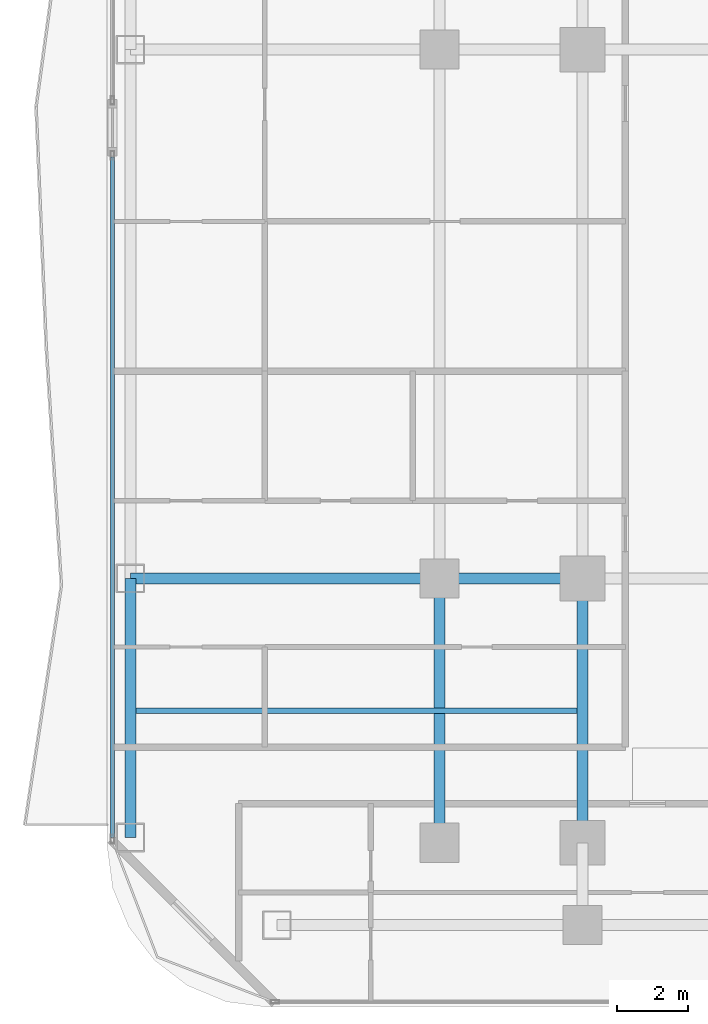
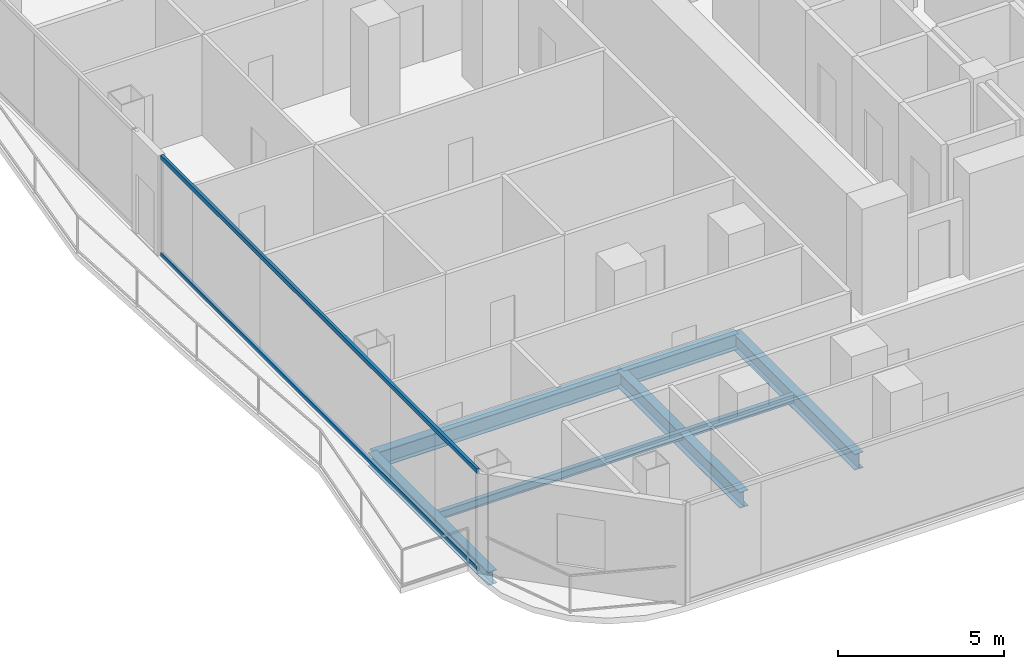
# One storey, part 3 of 27: 6 beams, 2 members, 1 element without a shape of its own.
"""IFC4 building model written with IfcOpenShell, lengths in metres."""

from ifc_helpers import new_model, si_unit, direction, frame, origin, origin_2d, place, context, subcontext, project, spatial, hollow_rectangle, i_section, extrude, material, layer, layer_set, material_profile, profile_set, type_object, element, aggregate, save


model = new_model("IFC4")

# Units and contexts
model_context = context("Model", 3, precision=1e-05, world=origin(), true_north=direction((0.0, 1.0)))
body_context = subcontext(model_context, "Body", "Model", "MODEL_VIEW")
ifc_project = project(units=[si_unit("LENGTHUNIT", "METRE"), si_unit("AREAUNIT", "SQUARE_METRE"), si_unit("VOLUMEUNIT", "CUBIC_METRE"), si_unit("PLANEANGLEUNIT", "RADIAN"), si_unit("MASSUNIT", "GRAM", prefix="KILO")], contexts=[model_context])

# Site, building, storey
site_placement = place(None, origin())
site = spatial("IfcSite", under=ifc_project, at=site_placement, CompositionType="ELEMENT")
building_placement = place(site_placement, origin())
building = spatial("IfcBuilding", under=site, at=building_placement, Name="Khorvyn Point Tower", CompositionType="ELEMENT")
storey_placement = place(building_placement, frame((0.0, 0.0, 96.89990234375)))
storey = spatial("IfcBuildingStorey", under=building, at=storey_placement, Name="L24", CompositionType="ELEMENT", Elevation=96.89990234375)

# Curtain wall, members
ifc_material_1 = material(Name="Anodised aluminium 6063-T6 and laminated Low-E glass", Category="aluminium")
ifc_layer = layer(ifc_material_1, 0.18994140625)
ifc_layer_set = layer_set([ifc_layer], Name="Stick-Built Finned Residential Curtain Wall CW-SYS-02")
curtain_wall_type = type_object("IfcCurtainWallType", Name="Stick-Built Finned Residential Curtain Wall CW-SYS-02", PredefinedType="NOTDEFINED", material=ifc_layer_set)
curtain_wall_placement = place(storey_placement, origin())
curtain_wall = element("IfcCurtainWall", 1, at=curtain_wall_placement, inside=storey, type_object=curtain_wall_type, Name="Curtain Wall", PredefinedType="NOTDEFINED")
ifc_material_2 = material(Name="Anodised aluminium 6063-T6", Category="aluminium")
ifc_material_profile_1 = material_profile(ifc_material_2, hollow_rectangle(XDim=0.10009765625, YDim=0.159912109375, WallThickness=0.00439453125, at=origin_2d()))
ifc_profile_set_1 = profile_set([ifc_material_profile_1], Name="Anodised aluminium 6063-T6 ALU-TRN-100x160")
member_type = type_object("IfcMemberType", Name="Anodised Aluminium 6063-T6 Transom ALU-TRN-100x160", PredefinedType="USERDEFINED", material=ifc_profile_set_1)
member_1_placement = place(storey_placement, frame((-27.949951171875, -14.64990234375, 0.050048828125), z_axis=(0.0, 1.0, 0.0), x_axis=(-1.0, 0.0, 0.0)))
member_1 = element("IfcMember", 2, at=member_1_placement, type_object=member_type, Name="Transom", ObjectType="TRANSOM", PredefinedType="USERDEFINED", context=body_context, shape_type="SweptSolid", body=[
    extrude(hollow_rectangle(XDim=0.10009765625, YDim=0.159912109375, WallThickness=0.00439453125, at=origin_2d()), origin(), (0.0, 0.0, 1.0), 19.039794921875),
])
member_2_placement = place(storey_placement, frame((-27.949951171875, -14.64990234375, 3.630126953125), z_axis=(0.0, 1.0, 0.0), x_axis=(-1.0, 0.0, 0.0)))
member_2 = element("IfcMember", 3, at=member_2_placement, type_object=member_type, Name="Transom", ObjectType="TRANSOM", PredefinedType="USERDEFINED", context=body_context, shape_type="SweptSolid", body=[
    extrude(hollow_rectangle(XDim=0.10009765625, YDim=0.159912109375, WallThickness=0.00439453125, at=origin_2d()), origin(), (0.0, 0.0, 1.0), 19.039794921875),
])
aggregate(curtain_wall, [member_1, member_2])

# Beams
ifc_material_3 = material(Name="Steel S355", Category="steel")
ifc_material_profile_2 = material_profile(ifc_material_3, i_section(OverallWidth=0.300048828125, OverallDepth=0.587890625, WebThickness=0.011962890625, FlangeThickness=0.02001953125, at=origin_2d()))
ifc_profile_set_2 = profile_set([ifc_material_profile_2], Name="Steel S355 H588x300x12x20")
beam_type_1 = type_object("IfcBeamType", Name="Steel S355 Beam H588x300x12x20", PredefinedType="BEAM", material=ifc_profile_set_2)
beam_1_placement = place(storey_placement, frame((-27.449951171875, -7.39990234375, -0.513916015625), z_axis=(1.0, 0.0, 0.0), x_axis=(0.0, 1.0, 0.0)))
element("IfcBeam", 4, at=beam_1_placement, inside=storey, type_object=beam_type_1, Name="Beam", PredefinedType="BEAM", context=body_context, shape_type="SweptSolid", body=[
    extrude(i_section(OverallWidth=0.300048828125, OverallDepth=0.587890625, WebThickness=0.011962890625, FlangeThickness=0.02001953125, at=origin_2d()), origin(), (0.0, 0.0, 1.0), 8.64990234375),
])
beam_2_placement = place(storey_placement, frame((-18.800048828125, -7.39990234375, -0.513916015625), z_axis=(1.0, 0.0, 0.0), x_axis=(0.0, 1.0, 0.0)))
element("IfcBeam", 5, at=beam_2_placement, inside=storey, type_object=beam_type_1, Name="Beam", PredefinedType="BEAM", context=body_context, shape_type="SweptSolid", body=[
    extrude(i_section(OverallWidth=0.300048828125, OverallDepth=0.587890625, WebThickness=0.011962890625, FlangeThickness=0.02001953125, at=origin_2d()), origin(), (0.0, 0.0, 1.0), 4.0),
])
for number, where, z_axis, x_axis, name in (
    (6, (-14.800048828125, -14.800048828125, -0.513916015625), (0.0, 1.0, 0.0), (-1.0, 0.0, 0.0), "Beam"),
    (7, (-18.800048828125, -14.800048828125, -0.513916015625), (0.0, 1.0, 0.0), (-1.0, 0.0, 0.0), "Beam"),
):
    element("IfcBeam", number, at=place(storey_placement, frame(where, z_axis=z_axis, x_axis=x_axis)), inside=storey, type_object=beam_type_1, Name=name, PredefinedType="BEAM", context=body_context, shape_type="SweptSolid", body=[
        extrude(i_section(OverallWidth=0.300048828125, OverallDepth=0.587890625, WebThickness=0.011962890625, FlangeThickness=0.02001953125, at=origin_2d()), origin(), (0.0, 0.0, 1.0), 7.400146484375),
    ])
ifc_material_profile_3 = material_profile(ifc_material_3, i_section(OverallWidth=0.14990234375, OverallDepth=0.300048828125, WebThickness=0.006591796875, FlangeThickness=0.009033203125, at=origin_2d()))
ifc_profile_set_3 = profile_set([ifc_material_profile_3], Name="Steel S355 H300x150x6.5x9")
beam_type_2 = type_object("IfcBeamType", Name="Steel S355 Joist H300x150x6.5x9", PredefinedType="JOIST", material=ifc_profile_set_3)
beam_3_placement = place(storey_placement, frame((-27.300048828125, -11.10009765625, -0.369873046875), z_axis=(1.0, 0.0, 0.0), x_axis=(0.0, 1.0, 0.0)))
element("IfcBeam", 8, at=beam_3_placement, inside=storey, type_object=beam_type_2, Name="Beam", PredefinedType="JOIST", context=body_context, shape_type="SweptSolid", body=[
    extrude(i_section(OverallWidth=0.14990234375, OverallDepth=0.300048828125, WebThickness=0.006591796875, FlangeThickness=0.009033203125, at=origin_2d()), origin(), (0.0, 0.0, 1.0), 12.35009765625),
])
ifc_material_profile_4 = material_profile(ifc_material_3, i_section(OverallWidth=0.300048828125, OverallDepth=0.488037109375, WebThickness=0.010986328125, FlangeThickness=0.01806640625, at=origin_2d()))
ifc_profile_set_4 = profile_set([ifc_material_profile_4], Name="Steel S355 H488x300x11x18")
beam_type_3 = type_object("IfcBeamType", Name="Steel S355 Spandrel H488x300x11x18", PredefinedType="SPANDREL", material=ifc_profile_set_4)
beam_4_placement = place(storey_placement, frame((-27.449951171875, -14.64990234375, -0.4638671875), z_axis=(0.0, 1.0, 0.0), x_axis=(-1.0, 0.0, 0.0)))
element("IfcBeam", 9, at=beam_4_placement, inside=storey, type_object=beam_type_3, Name="Beam", PredefinedType="SPANDREL", context=body_context, shape_type="SweptSolid", body=[
    extrude(i_section(OverallWidth=0.300048828125, OverallDepth=0.488037109375, WebThickness=0.010986328125, FlangeThickness=0.01806640625, at=origin_2d()), origin(), (0.0, 0.0, 1.0), 7.25),
])

save(model, "model.ifc")
